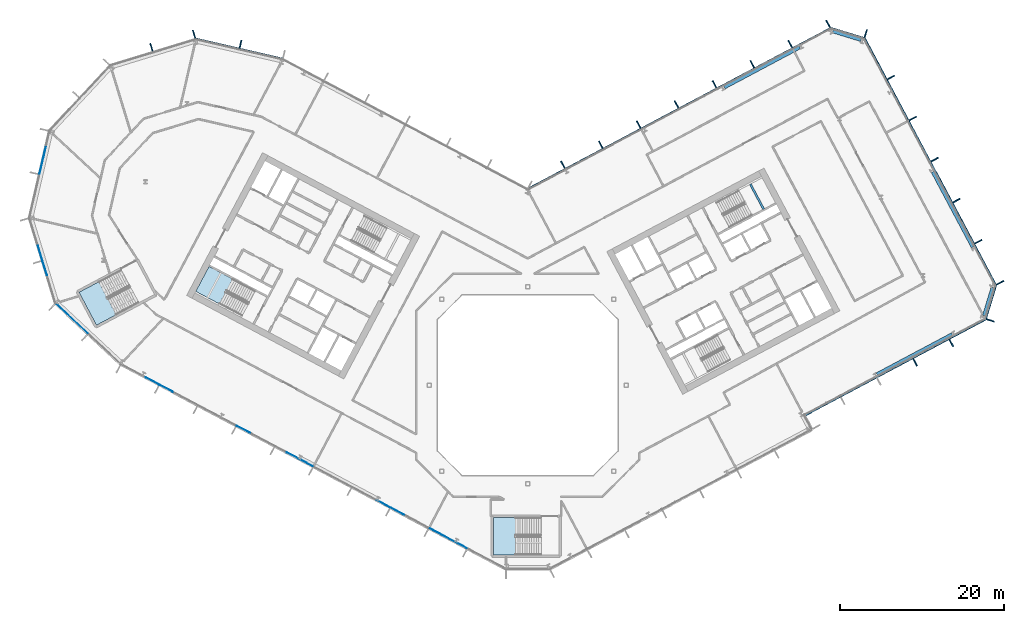
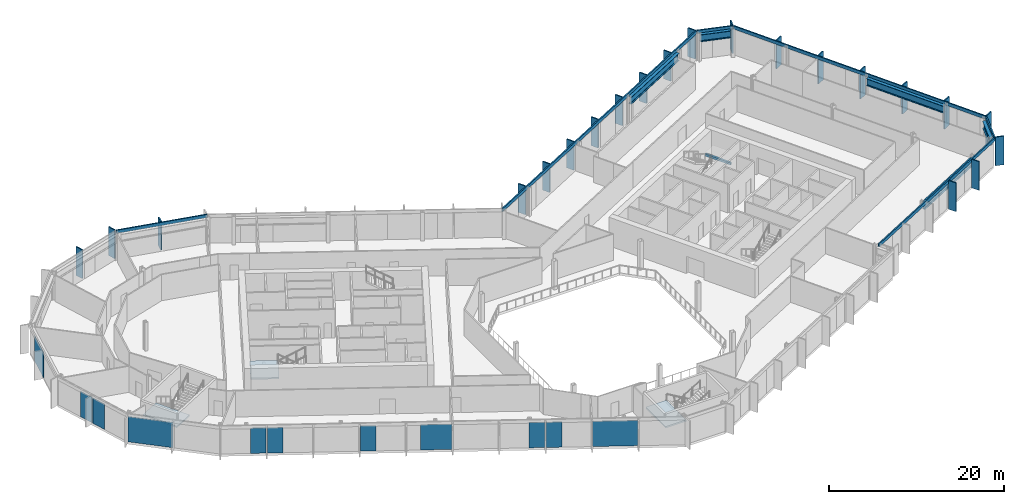
# One storey, part 10 of 28: 27 members, 11 plates, 6 beams, 3 slabs, 14 elements without a shape of their own.
"""IFC4 building model written with IfcOpenShell, lengths in metres."""

from ifc_helpers import new_model, si_unit, direction, frame, origin, origin_2d, place, context, subcontext, project, spatial, polyline, rectangle, i_section, outline, extrude, material, layer, layer_set, material_profile, profile_set, type_object, element, aggregate, save


model = new_model("IFC4")

# Units and contexts
model_context = context("Model", 3, precision=1e-05, world=origin(), true_north=direction((0.0, 1.0)))
body_context = subcontext(model_context, "Body", "Model", "MODEL_VIEW")
ifc_project = project(units=[si_unit("LENGTHUNIT", "METRE"), si_unit("AREAUNIT", "SQUARE_METRE"), si_unit("VOLUMEUNIT", "CUBIC_METRE"), si_unit("PLANEANGLEUNIT", "RADIAN"), si_unit("MASSUNIT", "GRAM", prefix="KILO")], contexts=[model_context])

# Site, building, storey
site_placement = place(None, origin())
site = spatial("IfcSite", under=ifc_project, at=site_placement, CompositionType="ELEMENT")
building_placement = place(site_placement, origin())
building = spatial("IfcBuilding", under=site, at=building_placement, Name="Cormorant Relay Tower", CompositionType="ELEMENT")
storey_placement = place(building_placement, frame((0.0, 0.0, 170.199951171875)))
storey = spatial("IfcBuildingStorey", under=building, at=storey_placement, Name="L36", CompositionType="ELEMENT", Elevation=170.199951171875)

# Curtain wall, members
ifc_material_1 = material(Name="Aluminium 6063-T6 anodised bronze", Category="aluminium")
ifc_layer_1 = layer(ifc_material_1, 0.199951171875)
ifc_layer_set_1 = layer_set([ifc_layer_1], Name="CW1 unitised bronze curtain wall with vertical fins")
curtain_wall_type = type_object("IfcCurtainWallType", Name="CW1 unitised bronze curtain wall with vertical fins", PredefinedType="NOTDEFINED", material=ifc_layer_set_1)
curtain_wall_1_placement = place(storey_placement, origin())
curtain_wall_1 = element("IfcCurtainWall", 1, at=curtain_wall_1_placement, inside=storey, type_object=curtain_wall_type, Name="CW1 curtain wall 4", PredefinedType="NOTDEFINED")
ifc_material_2 = material(Name="Aluminium 6063-T6 anodised bronze", Category="aluminium")
ifc_material_profile_1 = material_profile(ifc_material_2, rectangle(XDim=0.14990234375, YDim=1.0, at=origin_2d()), Name="AL 150x1000")
ifc_profile_set_1 = profile_set([ifc_material_profile_1], Name="Aluminium 6063-T6 anodised bronze")
member_type_1 = type_object("IfcMemberType", Name="CW1 bronze fin mullion 150 x 1000", PredefinedType="MULLION", material=ifc_profile_set_1)
member_1_placement = place(storey_placement, frame((47.21533203125, 2.793212890625, 0.0), z_axis=(0.0, 0.0, 1.0), x_axis=(0.882947592859, 0.469471562786, 0.0)))
member_1 = element("IfcMember", 2, at=member_1_placement, type_object=member_type_1, Name="CW1 fin 4.4", PredefinedType="MULLION", context=body_context, shape_type="SweptSolid", body=[
    extrude(rectangle(XDim=0.14990234375, YDim=1.0, at=origin_2d()), origin(), (0.0, 0.0, 1.0), 4.0),
])
member_2_placement = place(storey_placement, frame((51.630126953125, 5.140625, 0.0), z_axis=(0.0, 0.0, 1.0), x_axis=(0.882947592859, 0.469471562786, 0.0)))
member_2 = element("IfcMember", 3, at=member_2_placement, type_object=member_type_1, Name="CW1 fin 4.5", PredefinedType="MULLION", context=body_context, shape_type="SweptSolid", body=[
    extrude(rectangle(XDim=0.14990234375, YDim=1.0, at=origin_2d()), origin(), (0.0, 0.0, 1.0), 4.0),
])

# Curtain wall, member
curtain_wall_2_placement = place(storey_placement, origin())
curtain_wall_2 = element("IfcCurtainWall", 4, at=curtain_wall_2_placement, inside=storey, type_object=curtain_wall_type, Name="CW1 curtain wall 5", PredefinedType="NOTDEFINED")
member_3_placement = place(storey_placement, frame((56.385498046875, 7.9013671875, 0.0), z_axis=(0.0, 0.0, 1.0), x_axis=(0.292371704723, 0.956304755963, 0.0)))
member_3 = element("IfcMember", 5, at=member_3_placement, type_object=member_type_1, Name="CW1 fin 5.1", PredefinedType="MULLION", context=body_context, shape_type="SweptSolid", body=[
    extrude(rectangle(XDim=0.14990234375, YDim=1.0, at=origin_2d()), origin(), (0.0, 0.0, 1.0), 4.0),
])

# Curtain wall, members
curtain_wall_3_placement = place(storey_placement, origin())
curtain_wall_3 = element("IfcCurtainWall", 6, at=curtain_wall_3_placement, inside=storey, type_object=curtain_wall_type, Name="CW1 curtain wall 6", PredefinedType="NOTDEFINED")
member_4_placement = place(storey_placement, frame((57.57470703125, 12.491943359375, 0.0), z_axis=(0.0, 0.0, 1.0), x_axis=(-0.469471562786, 0.882947592859, 0.0)))
member_4 = element("IfcMember", 7, at=member_4_placement, type_object=member_type_1, Name="CW1 fin 6.1", PredefinedType="MULLION", context=body_context, shape_type="SweptSolid", body=[
    extrude(rectangle(XDim=0.14990234375, YDim=1.0, at=origin_2d()), origin(), (0.0, 0.0, 1.0), 4.0),
])
member_5_placement = place(storey_placement, frame((54.914306640625, 17.4951171875, 0.0), z_axis=(0.0, 0.0, 1.0), x_axis=(-0.469471562786, 0.882947592859, 0.0)))
member_5 = element("IfcMember", 8, at=member_5_placement, type_object=member_type_1, Name="CW1 fin 6.2", PredefinedType="MULLION", context=body_context, shape_type="SweptSolid", body=[
    extrude(rectangle(XDim=0.14990234375, YDim=1.0, at=origin_2d()), origin(), (0.0, 0.0, 1.0), 4.0),
])
member_6_placement = place(storey_placement, frame((52.25390625, 22.49853515625, 0.0), z_axis=(0.0, 0.0, 1.0), x_axis=(-0.469471562786, 0.882947592859, 0.0)))
member_6 = element("IfcMember", 9, at=member_6_placement, type_object=member_type_1, Name="CW1 fin 6.3", PredefinedType="MULLION", context=body_context, shape_type="SweptSolid", body=[
    extrude(rectangle(XDim=0.14990234375, YDim=1.0, at=origin_2d()), origin(), (0.0, 0.0, 1.0), 4.0),
])
member_7_placement = place(storey_placement, frame((49.59375, 27.501953125, 0.0), z_axis=(0.0, 0.0, 1.0), x_axis=(-0.469471562786, 0.882947592859, 0.0)))
member_7 = element("IfcMember", 10, at=member_7_placement, type_object=member_type_1, Name="CW1 fin 6.4", PredefinedType="MULLION", context=body_context, shape_type="SweptSolid", body=[
    extrude(rectangle(XDim=0.14990234375, YDim=1.0, at=origin_2d()), origin(), (0.0, 0.0, 1.0), 4.0),
])
member_8_placement = place(storey_placement, frame((46.933349609375, 32.50537109375, 0.0), z_axis=(0.0, 0.0, 1.0), x_axis=(-0.469471562786, 0.882947592859, 0.0)))
member_8 = element("IfcMember", 11, at=member_8_placement, type_object=member_type_1, Name="CW1 fin 6.5", PredefinedType="MULLION", context=body_context, shape_type="SweptSolid", body=[
    extrude(rectangle(XDim=0.14990234375, YDim=1.0, at=origin_2d()), origin(), (0.0, 0.0, 1.0), 4.0),
])
member_9_placement = place(storey_placement, frame((44.27294921875, 37.5087890625, 0.0), z_axis=(0.0, 0.0, 1.0), x_axis=(-0.469471562786, 0.882947592859, 0.0)))
member_9 = element("IfcMember", 12, at=member_9_placement, type_object=member_type_1, Name="CW1 fin 6.6", PredefinedType="MULLION", context=body_context, shape_type="SweptSolid", body=[
    extrude(rectangle(XDim=0.14990234375, YDim=1.0, at=origin_2d()), origin(), (0.0, 0.0, 1.0), 4.0),
])

# Curtain wall, member
curtain_wall_4_placement = place(storey_placement, origin())
curtain_wall_4 = element("IfcCurtainWall", 13, at=curtain_wall_4_placement, inside=storey, type_object=curtain_wall_type, Name="CW1 curtain wall 7", PredefinedType="NOTDEFINED")
member_10_placement = place(storey_placement, frame((41.19921875, 42.852783203125, 0.0), z_axis=(0.0, 0.0, 1.0), x_axis=(-0.956304755963, 0.292371704723, 0.0)))
member_10 = element("IfcMember", 14, at=member_10_placement, type_object=member_type_1, Name="CW1 fin 7.1", PredefinedType="MULLION", context=body_context, shape_type="SweptSolid", body=[
    extrude(rectangle(XDim=0.14990234375, YDim=1.0, at=origin_2d()), origin(), (0.0, 0.0, 1.0), 4.0),
])

# Curtain wall, members
curtain_wall_5_placement = place(storey_placement, origin())
curtain_wall_5 = element("IfcCurtainWall", 15, at=curtain_wall_5_placement, inside=storey, type_object=curtain_wall_type, Name="CW1 curtain wall 8", PredefinedType="NOTDEFINED")
member_11_placement = place(storey_placement, frame((36.608642578125, 44.0419921875, 0.0), z_axis=(0.0, 0.0, 1.0), x_axis=(-0.882947592859, -0.469471562786, 0.0)))
member_11 = element("IfcMember", 16, at=member_11_placement, type_object=member_type_1, Name="CW1 fin 8.1", PredefinedType="MULLION", context=body_context, shape_type="SweptSolid", body=[
    extrude(rectangle(XDim=0.14990234375, YDim=1.0, at=origin_2d()), origin(), (0.0, 0.0, 1.0), 4.0),
])
member_12_placement = place(storey_placement, frame((31.991455078125, 41.5869140625, 0.0), z_axis=(0.0, 0.0, 1.0), x_axis=(-0.882947592859, -0.469471562786, 0.0)))
member_12 = element("IfcMember", 17, at=member_12_placement, type_object=member_type_1, Name="CW1 fin 8.2", PredefinedType="MULLION", context=body_context, shape_type="SweptSolid", body=[
    extrude(rectangle(XDim=0.14990234375, YDim=1.0, at=origin_2d()), origin(), (0.0, 0.0, 1.0), 4.0),
])
member_13_placement = place(storey_placement, frame((27.37451171875, 39.132080078125, 0.0), z_axis=(0.0, 0.0, 1.0), x_axis=(-0.882947592859, -0.469471562786, 0.0)))
member_13 = element("IfcMember", 18, at=member_13_placement, type_object=member_type_1, Name="CW1 fin 8.3", PredefinedType="MULLION", context=body_context, shape_type="SweptSolid", body=[
    extrude(rectangle(XDim=0.14990234375, YDim=1.0, at=origin_2d()), origin(), (0.0, 0.0, 1.0), 4.0),
])
member_14_placement = place(storey_placement, frame((22.757080078125, 36.677001953125, 0.0), z_axis=(0.0, 0.0, 1.0), x_axis=(-0.882947592859, -0.469471562786, 0.0)))
member_14 = element("IfcMember", 19, at=member_14_placement, type_object=member_type_1, Name="CW1 fin 8.4", PredefinedType="MULLION", context=body_context, shape_type="SweptSolid", body=[
    extrude(rectangle(XDim=0.14990234375, YDim=1.0, at=origin_2d()), origin(), (0.0, 0.0, 1.0), 4.0),
])
member_15_placement = place(storey_placement, frame((18.139892578125, 34.221923828125, 0.0), z_axis=(0.0, 0.0, 1.0), x_axis=(-0.882947592859, -0.469471562786, 0.0)))
member_15 = element("IfcMember", 20, at=member_15_placement, type_object=member_type_1, Name="CW1 fin 8.5", PredefinedType="MULLION", context=body_context, shape_type="SweptSolid", body=[
    extrude(rectangle(XDim=0.14990234375, YDim=1.0, at=origin_2d()), origin(), (0.0, 0.0, 1.0), 4.0),
])
member_16_placement = place(storey_placement, frame((13.52294921875, 31.76708984375, 0.0), z_axis=(0.0, 0.0, 1.0), x_axis=(-0.882947592859, -0.469471562786, 0.0)))
member_16 = element("IfcMember", 21, at=member_16_placement, type_object=member_type_1, Name="CW1 fin 8.6", PredefinedType="MULLION", context=body_context, shape_type="SweptSolid", body=[
    extrude(rectangle(XDim=0.14990234375, YDim=1.0, at=origin_2d()), origin(), (0.0, 0.0, 1.0), 4.0),
])
member_17_placement = place(storey_placement, frame((8.90576171875, 29.31201171875, 0.0), z_axis=(0.0, 0.0, 1.0), x_axis=(-0.882947592859, -0.469471562786, 0.0)))
member_17 = element("IfcMember", 22, at=member_17_placement, type_object=member_type_1, Name="CW1 fin 8.7", PredefinedType="MULLION", context=body_context, shape_type="SweptSolid", body=[
    extrude(rectangle(XDim=0.14990234375, YDim=1.0, at=origin_2d()), origin(), (0.0, 0.0, 1.0), 4.0),
])
member_18_placement = place(storey_placement, frame((4.28857421875, 26.85693359375, 0.0), z_axis=(0.0, 0.0, 1.0), x_axis=(-0.882947592859, -0.469471562786, 0.0)))
member_18 = element("IfcMember", 23, at=member_18_placement, type_object=member_type_1, Name="CW1 fin 8.8", PredefinedType="MULLION", context=body_context, shape_type="SweptSolid", body=[
    extrude(rectangle(XDim=0.14990234375, YDim=1.0, at=origin_2d()), origin(), (0.0, 0.0, 1.0), 4.0),
])

# Curtain wall, member
curtain_wall_6_placement = place(storey_placement, origin())
curtain_wall_6 = element("IfcCurtainWall", 24, at=curtain_wall_6_placement, inside=storey, type_object=curtain_wall_type, Name="CW1 curtain wall 10", PredefinedType="NOTDEFINED")
member_19_placement = place(storey_placement, frame((-35.01220703125, 41.57275390625, 0.0), z_axis=(0.0, 0.0, 1.0), x_axis=(-0.974370064785, 0.224951054344, 0.0)))
member_19 = element("IfcMember", 25, at=member_19_placement, type_object=member_type_1, Name="CW1 fin 10.2", PredefinedType="MULLION", context=body_context, shape_type="SweptSolid", body=[
    extrude(rectangle(XDim=0.14990234375, YDim=1.0, at=origin_2d()), origin(), (0.0, 0.0, 1.0), 4.0),
])

# Curtain wall, members
curtain_wall_7_placement = place(storey_placement, origin())
curtain_wall_7 = element("IfcCurtainWall", 26, at=curtain_wall_7_placement, inside=storey, type_object=curtain_wall_type, Name="CW1 curtain wall 11", PredefinedType="NOTDEFINED")
member_20_placement = place(storey_placement, frame((-40.670166015625, 42.78271484375, 0.0), z_axis=(0.0, 0.0, 1.0), x_axis=(-0.956304755963, -0.292371704723, 0.0)))
member_20 = element("IfcMember", 27, at=member_20_placement, type_object=member_type_1, Name="CW1 fin 11.1", PredefinedType="MULLION", context=body_context, shape_type="SweptSolid", body=[
    extrude(rectangle(XDim=0.14990234375, YDim=1.0, at=origin_2d()), origin(), (0.0, 0.0, 1.0), 4.0),
])
member_21_placement = place(storey_placement, frame((-45.867919921875, 41.193603515625, 0.0), z_axis=(0.0, 0.0, 1.0), x_axis=(-0.956304755963, -0.292371704723, 0.0)))
member_21 = element("IfcMember", 28, at=member_21_placement, type_object=member_type_1, Name="CW1 fin 11.2", PredefinedType="MULLION", context=body_context, shape_type="SweptSolid", body=[
    extrude(rectangle(XDim=0.14990234375, YDim=1.0, at=origin_2d()), origin(), (0.0, 0.0, 1.0), 4.0),
])
aggregate(curtain_wall_7, [member_20, member_21])

# Member
ifc_material_3 = material(Name="Aluminium 6063-T6 anodised bronze", Category="aluminium")
ifc_material_profile_2 = material_profile(ifc_material_3, rectangle(XDim=0.159912109375, YDim=0.449951171875, at=origin_2d()), Name="AL 160x450")
ifc_profile_set_2 = profile_set([ifc_material_profile_2], Name="Aluminium 6063-T6 anodised bronze")
member_type_2 = type_object("IfcMemberType", Name="CW1 bronze transom 160 x 450", PredefinedType="USERDEFINED", material=ifc_profile_set_2)
member_22_placement = place(storey_placement, frame((33.69873046875, -3.73681640625, 3.775146484375), z_axis=(0.88294749795, 0.469471741284, 0.0), x_axis=(-0.469471741284, 0.88294749795, 0.0)))
member_22 = element("IfcMember", 29, at=member_22_placement, type_object=member_type_2, Name="CW1 transom 4", ObjectType="TRANSOM", PredefinedType="USERDEFINED", context=body_context, shape_type="SweptSolid", body=[
    extrude(rectangle(XDim=0.159912109375, YDim=0.449951171875, at=origin_2d()), origin(), (0.0, 0.0, 1.0), 25.0),
])

aggregate(curtain_wall_1, [member_1, member_2, member_22])

member_23_placement = place(storey_placement, frame((55.830810546875, 8.07080078125, 3.775146484375), z_axis=(0.292374957137, 0.956303761594, 0.0), x_axis=(-0.956303761594, 0.292374957137, 0.0)))
member_23 = element("IfcMember", 30, at=member_23_placement, type_object=member_type_2, Name="CW1 transom 5", ObjectType="TRANSOM", PredefinedType="USERDEFINED", context=body_context, shape_type="SweptSolid", body=[
    extrude(rectangle(XDim=0.159912109375, YDim=0.449951171875, at=origin_2d()), origin(), (0.0, 0.0, 1.0), 4.24267578125),
])

aggregate(curtain_wall_2, [member_3, member_23])

member_24_placement = place(storey_placement, frame((57.0625, 12.219482421875, 3.775146484375), z_axis=(-0.469468277635, 0.882949339597, 0.0), x_axis=(-0.882949339597, -0.469468277635, 0.0)))
member_24 = element("IfcMember", 31, at=member_24_placement, type_object=member_type_2, Name="CW1 transom 6", ObjectType="TRANSOM", PredefinedType="USERDEFINED", context=body_context, shape_type="SweptSolid", body=[
    extrude(rectangle(XDim=0.159912109375, YDim=0.449951171875, at=origin_2d()), origin(), (0.0, 0.0, 1.0), 34.0),
])

aggregate(curtain_wall_3, [member_4, member_5, member_6, member_7, member_8, member_9, member_24])

member_25_placement = place(storey_placement, frame((41.02978515625, 42.298095703125, 3.775146484375), z_axis=(-0.956303761594, 0.292374957137, 0.0), x_axis=(-0.292374957137, -0.956303761594, 0.0)))
member_25 = element("IfcMember", 32, at=member_25_placement, type_object=member_type_2, Name="CW1 transom 7", ObjectType="TRANSOM", PredefinedType="USERDEFINED", context=body_context, shape_type="SweptSolid", body=[
    extrude(rectangle(XDim=0.159912109375, YDim=0.449951171875, at=origin_2d()), origin(), (0.0, 0.0, 1.0), 4.24267578125),
])

aggregate(curtain_wall_4, [member_10, member_25])

member_26_placement = place(storey_placement, frame((36.881103515625, 43.52978515625, 3.775146484375), z_axis=(-0.88294882701, -0.469469241677, 0.0), x_axis=(0.469469241677, -0.88294882701, 0.0)))
member_26 = element("IfcMember", 33, at=member_26_placement, type_object=member_type_2, Name="CW1 transom 8", ObjectType="TRANSOM", PredefinedType="USERDEFINED", context=body_context, shape_type="SweptSolid", body=[
    extrude(rectangle(XDim=0.159912109375, YDim=0.449951171875, at=origin_2d()), origin(), (0.0, 0.0, 1.0), 41.834228515625),
])

aggregate(curtain_wall_5, [member_11, member_12, member_13, member_14, member_15, member_16, member_17, member_18, member_26])

member_27_placement = place(storey_placement, frame((-29.8466796875, 39.784912109375, 3.775146484375), z_axis=(-0.974365070969, 0.224972683844, 0.0), x_axis=(-0.224972683844, -0.974365070969, 0.0)))
member_27 = element("IfcMember", 34, at=member_27_placement, type_object=member_type_2, Name="CW1 transom 10", ObjectType="TRANSOM", PredefinedType="USERDEFINED", context=body_context, shape_type="SweptSolid", body=[
    extrude(rectangle(XDim=0.159912109375, YDim=0.449951171875, at=origin_2d()), origin(), (0.0, 0.0, 1.0), 10.870361328125),
])

aggregate(curtain_wall_6, [member_19, member_27])

# Beams
ifc_material_4 = material(Name="Steel ASTM A992 (Fy 345 MPa)", Category="steel")
ifc_material_profile_3 = material_profile(ifc_material_4, i_section(OverallWidth=0.4013671875, OverallDepth=1.000732421875, WebThickness=0.01904296875, FlangeThickness=0.0361328125, FilletRadius=0.02978515625, at=origin_2d()), Name="W1000x371")
ifc_profile_set_3 = profile_set([ifc_material_profile_3], Name="Steel ASTM A992 (Fy 345 MPa)")
beam_type_1 = type_object("IfcBeamType", Name="Spandrel W1000x371", PredefinedType="SPANDREL", material=ifc_profile_set_3)
beam_1_placement = place(storey_placement, frame((42.5595703125, 1.337890625, 3.1396484375), z_axis=(0.882955922346, 0.469455896963, 0.0), x_axis=(-0.469455896963, 0.882955922346, 0.0)))
element("IfcBeam", 35, at=beam_1_placement, inside=storey, type_object=beam_type_1, Name="Spandrel beam L36-004", PredefinedType="SPANDREL", context=body_context, shape_type="SweptSolid", body=[
    extrude(i_section(OverallWidth=0.4013671875, OverallDepth=1.000732421875, WebThickness=0.01904296875, FlangeThickness=0.0361328125, FilletRadius=0.02978515625, at=origin_2d()), origin(), (0.0, 0.0, 1.0), 10.388427734375),
])
beam_2_placement = place(storey_placement, frame((55.62548828125, 8.495849609375, 3.1396484375), z_axis=(0.29237248799, 0.956304516494, 0.0), x_axis=(-0.956304516494, 0.29237248799, 0.0)))
element("IfcBeam", 36, at=beam_2_placement, inside=storey, type_object=beam_type_1, Name="Spandrel beam L36-005", PredefinedType="SPANDREL", context=body_context, shape_type="SweptSolid", body=[
    extrude(i_section(OverallWidth=0.4013671875, OverallDepth=1.000732421875, WebThickness=0.01904296875, FlangeThickness=0.0361328125, FilletRadius=0.02978515625, at=origin_2d()), origin(), (0.0, 0.0, 1.0), 3.585693359375),
])
beam_3_placement = place(storey_placement, frame((54.24169921875, 16.841796875, 3.1396484375), z_axis=(-0.469474218299, 0.882946180893, 0.0), x_axis=(-0.882946180893, -0.469474218299, 0.0)))
element("IfcBeam", 37, at=beam_3_placement, inside=storey, type_object=beam_type_1, Name="Spandrel beam L36-006", PredefinedType="SPANDREL", context=body_context, shape_type="SweptSolid", body=[
    extrude(i_section(OverallWidth=0.4013671875, OverallDepth=1.000732421875, WebThickness=0.01904296875, FlangeThickness=0.0361328125, FilletRadius=0.02978515625, at=origin_2d()), origin(), (0.0, 0.0, 1.0), 10.388671875),
])
beam_4_placement = place(storey_placement, frame((40.605224609375, 42.0927734375, 3.1396484375), z_axis=(-0.956311914022, 0.292348290742, 0.0), x_axis=(-0.292348290742, -0.956311914022, 0.0)))
element("IfcBeam", 38, at=beam_4_placement, inside=storey, type_object=beam_type_1, Name="Spandrel beam L36-007", PredefinedType="SPANDREL", context=body_context, shape_type="SweptSolid", body=[
    extrude(i_section(OverallWidth=0.4013671875, OverallDepth=1.000732421875, WebThickness=0.01904296875, FlangeThickness=0.0361328125, FilletRadius=0.02978515625, at=origin_2d()), origin(), (0.0, 0.0, 1.0), 3.585205078125),
])
beam_5_placement = place(storey_placement, frame((33.141357421875, 41.17822265625, 3.1396484375), z_axis=(-0.882955922346, -0.469455896963, 0.0), x_axis=(0.469455896963, -0.882955922346, 0.0)))
element("IfcBeam", 39, at=beam_5_placement, inside=storey, type_object=beam_type_1, Name="Spandrel beam L36-008", PredefinedType="SPANDREL", context=body_context, shape_type="SweptSolid", body=[
    extrude(i_section(OverallWidth=0.4013671875, OverallDepth=1.000732421875, WebThickness=0.01904296875, FlangeThickness=0.0361328125, FilletRadius=0.02978515625, at=origin_2d()), origin(), (0.0, 0.0, 1.0), 10.388427734375),
])
ifc_material_5 = material(Name="Concrete 50 MPa", Category="concrete")
ifc_material_profile_4 = material_profile(ifc_material_5, rectangle(XDim=0.25, YDim=0.300048828125, at=origin_2d()), Name="RC 250x300")
ifc_profile_set_4 = profile_set([ifc_material_profile_4], Name="Concrete 50 MPa")
beam_type_2 = type_object("IfcBeamType", Name="Stair landing ledge beam 250x300", PredefinedType="BEAM", material=ifc_profile_set_4)
beam_6_placement = place(storey_placement, frame((28.755126953125, 21.4619140625, 1.650146484375), z_axis=(-0.469463917486, 0.882951657895, 0.0), x_axis=(-0.882951657895, -0.469463917486, 0.0)))
element("IfcBeam", 40, at=beam_6_placement, inside=storey, type_object=beam_type_2, Name="B2 landing ledge beam", PredefinedType="BEAM", context=body_context, shape_type="SweptSolid", body=[
    extrude(rectangle(XDim=0.25, YDim=0.300048828125, at=origin_2d()), origin(), (0.0, 0.0, 1.0), 3.449951171875),
])

# Curtain wall, plates
curtain_wall_8_placement = place(storey_placement, origin())
curtain_wall_8 = element("IfcCurtainWall", 41, at=curtain_wall_8_placement, inside=storey, type_object=curtain_wall_type, Name="CW1 curtain wall 14", PredefinedType="NOTDEFINED")
ifc_material_6 = material(Name="Tinted laminated glass", Category="glass")
ifc_layer_2 = layer(ifc_material_6, 0.0400390625)
ifc_layer_set_2 = layer_set([ifc_layer_2], Name="CW1 tinted vision panel 1800 module")
plate_type_1 = type_object("IfcPlateType", Name="CW1 tinted vision panel 1800 module", PredefinedType="CURTAIN_PANEL", material=ifc_layer_set_2)
plate_1_placement = place(storey_placement, frame((-59.434814453125, 16.122314453125, 0.0), z_axis=(0.0, 0.0, 1.0), x_axis=(0.292371704723, -0.956304755963, 0.0)))
plate_1 = element("IfcPlate", 42, at=plate_1_placement, type_object=plate_type_1, Name="CW1 panel V01", PredefinedType="CURTAIN_PANEL", context=body_context, shape_type="SweptSolid", body=[
    extrude(rectangle(XDim=1.800048828125, YDim=0.0400390625, at=origin_2d()), origin(), (0.0, 0.0, 1.0), 3.550048828125),
])
plate_2_placement = place(storey_placement, frame((-58.86474609375, 14.25732421875, 0.0), z_axis=(0.0, 0.0, 1.0), x_axis=(0.292371704723, -0.956304755963, 0.0)))
plate_2 = element("IfcPlate", 43, at=plate_2_placement, type_object=plate_type_1, Name="CW1 panel V02", PredefinedType="CURTAIN_PANEL", context=body_context, shape_type="SweptSolid", body=[
    extrude(rectangle(XDim=1.800048828125, YDim=0.0400390625, at=origin_2d()), origin(), (0.0, 0.0, 1.0), 3.550048828125),
])
aggregate(curtain_wall_8, [plate_1, plate_2])

curtain_wall_9_placement = place(storey_placement, origin())
curtain_wall_9 = element("IfcCurtainWall", 44, at=curtain_wall_9_placement, inside=storey, type_object=curtain_wall_type, Name="CW1 curtain wall 16", PredefinedType="NOTDEFINED")
plate_3_placement = place(storey_placement, frame((-45.767578125, 0.5283203125, 0.0), z_axis=(0.0, 0.0, 1.0), x_axis=(0.882947592859, -0.469471562786, 0.0)))
plate_3 = element("IfcPlate", 45, at=plate_3_placement, type_object=plate_type_1, Name="CW1 panel V01", PredefinedType="CURTAIN_PANEL", context=body_context, shape_type="SweptSolid", body=[
    extrude(rectangle(XDim=1.800048828125, YDim=0.0400390625, at=origin_2d()), origin(), (0.0, 0.0, 1.0), 3.550048828125),
])
plate_4_placement = place(storey_placement, frame((-44.0458984375, -0.38720703125, 0.0), z_axis=(0.0, 0.0, 1.0), x_axis=(0.882947592859, -0.469471562786, 0.0)))
plate_4 = element("IfcPlate", 46, at=plate_4_placement, type_object=plate_type_1, Name="CW1 panel V02", PredefinedType="CURTAIN_PANEL", context=body_context, shape_type="SweptSolid", body=[
    extrude(rectangle(XDim=1.800048828125, YDim=0.0400390625, at=origin_2d()), origin(), (0.0, 0.0, 1.0), 3.550048828125),
])
plate_5_placement = place(storey_placement, frame((-34.6572265625, -5.37890625, 0.0), z_axis=(0.0, 0.0, 1.0), x_axis=(0.882947592859, -0.469471562786, 0.0)))
plate_5 = element("IfcPlate", 47, at=plate_5_placement, type_object=plate_type_1, Name="CW1 panel V04", PredefinedType="CURTAIN_PANEL", context=body_context, shape_type="SweptSolid", body=[
    extrude(rectangle(XDim=1.800048828125, YDim=0.0400390625, at=origin_2d()), origin(), (0.0, 0.0, 1.0), 3.550048828125),
])
plate_6_placement = place(storey_placement, frame((-17.601806640625, -14.447509765625, 0.0), z_axis=(0.0, 0.0, 1.0), x_axis=(0.882947592859, -0.469471562786, 0.0)))
plate_6 = element("IfcPlate", 48, at=plate_6_placement, type_object=plate_type_1, Name="CW1 panel V08", PredefinedType="CURTAIN_PANEL", context=body_context, shape_type="SweptSolid", body=[
    extrude(rectangle(XDim=1.800048828125, YDim=0.0400390625, at=origin_2d()), origin(), (0.0, 0.0, 1.0), 3.550048828125),
])
plate_7_placement = place(storey_placement, frame((-15.880126953125, -15.363037109375, 0.0), z_axis=(0.0, 0.0, 1.0), x_axis=(0.882947592859, -0.469471562786, 0.0)))
plate_7 = element("IfcPlate", 49, at=plate_7_placement, type_object=plate_type_1, Name="CW1 panel V09", PredefinedType="CURTAIN_PANEL", context=body_context, shape_type="SweptSolid", body=[
    extrude(rectangle(XDim=1.800048828125, YDim=0.0400390625, at=origin_2d()), origin(), (0.0, 0.0, 1.0), 3.550048828125),
])

# Curtain wall, plate
curtain_wall_10_placement = place(storey_placement, origin())
curtain_wall_10 = element("IfcCurtainWall", 50, at=curtain_wall_10_placement, inside=storey, type_object=curtain_wall_type, Name="CW1 curtain wall 13", PredefinedType="NOTDEFINED")
ifc_material_7 = material(Name="Tinted laminated glass", Category="glass")
ifc_layer_3 = layer(ifc_material_7, 0.0400390625)
ifc_layer_set_3 = layer_set([ifc_layer_3], Name="CW1 tinted vision panel 3600 module")
plate_type_2 = type_object("IfcPlateType", Name="CW1 tinted vision panel 3600 module", PredefinedType="CURTAIN_PANEL", material=ifc_layer_set_3)
plate_8_placement = place(storey_placement, frame((-59.094970703125, 27.520751953125, 0.0), z_axis=(0.0, 0.0, 1.0), x_axis=(-0.224951054344, -0.974370064785, 0.0)))
plate_8 = element("IfcPlate", 51, at=plate_8_placement, type_object=plate_type_2, Name="CW1 panel V01", PredefinedType="CURTAIN_PANEL", context=body_context, shape_type="SweptSolid", body=[
    extrude(rectangle(XDim=3.60009765625, YDim=0.0400390625, at=origin_2d()), origin(), (0.0, 0.0, 1.0), 3.550048828125),
])
aggregate(curtain_wall_10, [plate_8])

# Plate
plate_9_placement = place(storey_placement, frame((-27.78515625, -9.032958984375, 0.0), z_axis=(0.0, 0.0, 1.0), x_axis=(0.882947592859, -0.469471562786, 0.0)))
plate_9 = element("IfcPlate", 52, at=plate_9_placement, type_object=plate_type_2, Name="CW1 panel V06", PredefinedType="CURTAIN_PANEL", context=body_context, shape_type="SweptSolid", body=[
    extrude(rectangle(XDim=3.60009765625, YDim=0.0400390625, at=origin_2d()), origin(), (0.0, 0.0, 1.0), 3.550048828125),
])

# Curtain wall, plate
curtain_wall_11_placement = place(storey_placement, origin())
curtain_wall_11 = element("IfcCurtainWall", 53, at=curtain_wall_11_placement, inside=storey, type_object=curtain_wall_type, Name="CW1 curtain wall 15", PredefinedType="NOTDEFINED")
ifc_material_8 = material(Name="Tinted laminated glass", Category="glass")
ifc_layer_4 = layer(ifc_material_8, 0.0400390625)
ifc_layer_set_4 = layer_set([ifc_layer_4], Name="CW1 tinted vision panel 5400 module")
plate_type_3 = type_object("IfcPlateType", Name="CW1 tinted vision panel 5400 module", PredefinedType="CURTAIN_PANEL", material=ifc_layer_set_4)
plate_10_placement = place(storey_placement, frame((-55.56787109375, 8.1298828125, 0.0), z_axis=(0.0, 0.0, 1.0), x_axis=(0.731353701619, -0.681998360062, 0.0)))
plate_10 = element("IfcPlate", 54, at=plate_10_placement, type_object=plate_type_3, Name="CW1 panel V00", PredefinedType="CURTAIN_PANEL", context=body_context, shape_type="SweptSolid", body=[
    extrude(rectangle(XDim=5.28515625, YDim=0.0400390625, at=origin_2d()), origin(), (0.0, 0.0, 1.0), 3.550048828125),
])
aggregate(curtain_wall_11, [plate_10])

# Plate
plate_11_placement = place(storey_placement, frame((-9.69970703125, -18.649169921875, 0.0), z_axis=(0.0, 0.0, 1.0), x_axis=(0.882947592859, -0.469471562786, 0.0)))
plate_11 = element("IfcPlate", 55, at=plate_11_placement, type_object=plate_type_3, Name="CW1 panel V11", PredefinedType="CURTAIN_PANEL", context=body_context, shape_type="SweptSolid", body=[
    extrude(rectangle(XDim=5.16650390625, YDim=0.0400390625, at=origin_2d()), origin(), (0.0, 0.0, 1.0), 3.550048828125),
])

aggregate(curtain_wall_9, [plate_3, plate_4, plate_5, plate_9, plate_6, plate_7, plate_11])

# Stair, slab
ifc_material_9 = material(Name="Concrete 40 MPa", Category="concrete")
stair_type_1 = type_object("IfcStairType", Name="Exit stair 1500", PredefinedType="HALF_TURN_STAIR", material=ifc_material_9)
stair_1_placement = place(storey_placement, origin())
stair_1 = element("IfcStair", 56, at=stair_1_placement, inside=storey, type_object=stair_type_1, Name="L36 Stair", PredefinedType="HALF_TURN_STAIR")
ifc_material_10 = material(Name="Concrete 40 MPa", Category="concrete")
ifc_layer_5 = layer(ifc_material_10, 0.199951171875)
ifc_layer_set_5 = layer_set([ifc_layer_5], Name="Exit stair landing 200")
slab_type = type_object("IfcSlabType", Name="Exit stair landing 200", PredefinedType="LANDING", material=ifc_layer_set_5)
slab_1_placement = place(storey_placement, frame((0.0, 0.0, 1.800048828125)))
slab_1 = element("IfcSlab", 57, at=slab_1_placement, type_object=slab_type, Name="A2 landing 1", PredefinedType="LANDING", context=body_context, shape_type="SweptSolid", body=[
    extrude(outline(polyline([(-35.96044921875, 12.947998046875), (-38.84765625, 14.483154296875), (-40.467529296875, 11.43701171875), (-37.580322265625, 9.90185546875), (-35.96044921875, 12.947998046875)])), origin(), (0.0, 0.0, 1.0), 0.199951171875),
])
aggregate(stair_1, [slab_1])

ifc_material_11 = material(Name="Concrete 40 MPa", Category="concrete")
stair_type_2 = type_object("IfcStairType", Name="Remote exit stair 2200", PredefinedType="HALF_TURN_STAIR", material=ifc_material_11)
stair_2_placement = place(storey_placement, origin())
stair_2 = element("IfcStair", 58, at=stair_2_placement, inside=storey, type_object=stair_type_2, Name="L36 Stair", PredefinedType="HALF_TURN_STAIR")
slab_2_placement = place(storey_placement, frame((0.0, 0.0, 1.800048828125)))
slab_2 = element("IfcSlab", 59, at=slab_2_placement, type_object=slab_type, Name="RK1 landing 1", PredefinedType="LANDING", context=body_context, shape_type="SweptSolid", body=[
    extrude(outline(polyline([(-1.47998046875, -16.125), (-4.199951171875, -16.125), (-4.199951171875, -20.675048828125), (-1.47998046875, -20.675048828125), (-1.47998046875, -16.125)])), origin(), (0.0, 0.0, 1.0), 0.199951171875),
])
aggregate(stair_2, [slab_2])

stair_3_placement = place(storey_placement, origin())
stair_3 = element("IfcStair", 60, at=stair_3_placement, inside=storey, type_object=stair_type_2, Name="L36 Stair", PredefinedType="HALF_TURN_STAIR")
slab_3_placement = place(storey_placement, frame((0.0, 0.0, 1.800048828125)))
slab_3 = element("IfcSlab", 61, at=slab_3_placement, type_object=slab_type, Name="RP1 landing 1", PredefinedType="LANDING", context=body_context, shape_type="SweptSolid", body=[
    extrude(outline(polyline([(-52.29833984375, 12.607666015625), (-54.699951171875, 11.330810546875), (-52.563720703125, 7.3134765625), (-50.162109375, 8.59033203125), (-52.29833984375, 12.607666015625)])), origin(), (0.0, 0.0, 1.0), 0.199951171875),
])
aggregate(stair_3, [slab_3])

save(model, "model.ifc")
